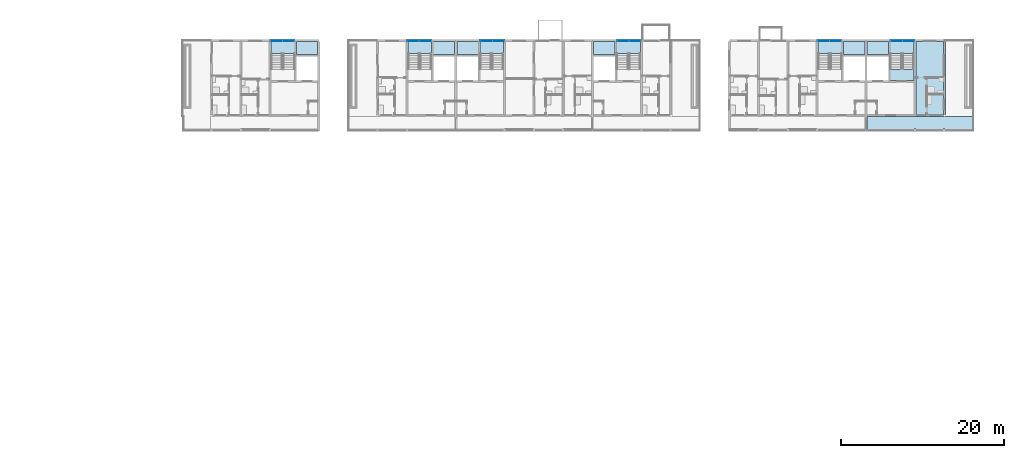
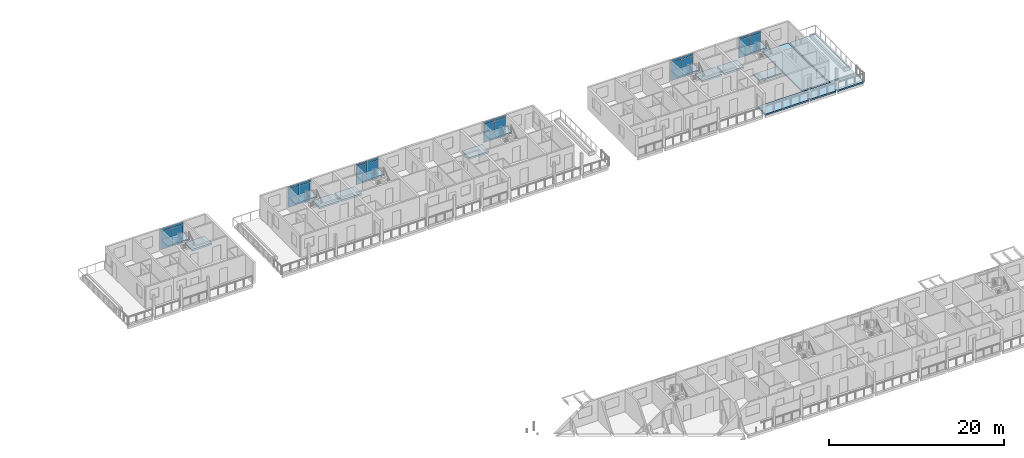
# One storey, part 32 of 94: 24 plates, 16 slabs, 12 elements without a shape of their own.
"""IFC4 building model written with IfcOpenShell, lengths in metres."""

from ifc_helpers import new_model, si_unit, direction, frame, origin, origin_2d, place, context, subcontext, project, spatial, polyline, rectangle, outline, extrude, material, layer, layer_set, type_object, element, aggregate, save


model = new_model("IFC4")

# Units and contexts
model_context = context("Model", 3, precision=1e-05, world=origin(), true_north=direction((0.0, 1.0)))
body_context = subcontext(model_context, "Body", "Model", "MODEL_VIEW")
ifc_project = project(units=[si_unit("LENGTHUNIT", "METRE"), si_unit("AREAUNIT", "SQUARE_METRE"), si_unit("VOLUMEUNIT", "CUBIC_METRE"), si_unit("PLANEANGLEUNIT", "RADIAN"), si_unit("MASSUNIT", "GRAM", prefix="KILO")], contexts=[model_context])

# Site, building, storey
site_placement = place(None, origin())
site = spatial("IfcSite", under=ifc_project, at=site_placement, CompositionType="ELEMENT")
building_placement = place(site_placement, origin())
building = spatial("IfcBuilding", under=site, at=building_placement, Name="Ridgestep Commons", CompositionType="ELEMENT")
storey_placement = place(building_placement, frame((0.0, 0.0, 24.0)))
storey = spatial("IfcBuildingStorey", under=building, at=storey_placement, Name="L08", CompositionType="ELEMENT", Elevation=24.0)

# Slab
ifc_material_1 = material(Name="Precast concrete C40/50", Category="concrete")
ifc_layer_1 = layer(ifc_material_1, 0.199951171875)
ifc_layer_set_1 = layer_set([ifc_layer_1], Name="Gallery slab 200")
slab_type_1 = type_object("IfcSlabType", Name="Gallery slab 200", PredefinedType="FLOOR", material=ifc_layer_set_1)
slab_1_placement = place(storey_placement, frame((0.0, 0.0, -0.199951171875)))
element("IfcSlab", 1, at=slab_1_placement, inside=storey, type_object=slab_type_1, Name="Gallery slab C6 L08", PredefinedType="FLOOR", context=body_context, shape_type="SweptSolid", body=[
    extrude(outline(polyline([(244.0, 67.800048828125), (230.949951171875, 67.800048828125), (230.949951171875, 66.0), (236.675048828125, 66.0), (236.675048828125, 66.25), (236.925048828125, 66.25), (236.925048828125, 66.0), (240.27490234375, 66.0), (240.27490234375, 66.25), (240.52490234375, 66.25), (240.52490234375, 66.0), (243.875, 66.0), (243.875, 66.25), (244.0, 66.25), (244.0, 67.800048828125)])), origin(), (0.0, 0.0, 1.0), 0.199951171875),
])

# Curtain wall, plates
ifc_material_2 = material(Name="Aluminium 6063-T6 and glass", Category="aluminium")
curtain_wall_type = type_object("IfcCurtainWallType", Name="Curtain wall stair strip", PredefinedType="NOTDEFINED", material=ifc_material_2)
curtain_wall_1_placement = place(storey_placement, origin())
curtain_wall_1 = element("IfcCurtainWall", 2, at=curtain_wall_1_placement, inside=storey, type_object=curtain_wall_type, Name="Curtain wall C1C level 08", PredefinedType="NOTDEFINED")
ifc_material_3 = material(Name="Glass laminated 6/16/6 low-emissivity", Category="glass")
ifc_layer_2 = layer(ifc_material_3, 0.028076171875)
ifc_layer_set_2 = layer_set([ifc_layer_2], Name="Glazing panel 28")
plate_type_1 = type_object("IfcPlateType", Name="Glazing panel 28", PredefinedType="CURTAIN_PANEL", material=ifc_layer_set_2)
plate_1_placement = place(storey_placement, frame((158.371337890625, 77.080078125, 0.06005859375), z_axis=(0.0, 0.0, 1.0), x_axis=(1.0, 0.0, 0.0)))
plate_1 = element("IfcPlate", 3, at=plate_1_placement, type_object=plate_type_1, Name="CW1 panel 1.1", PredefinedType="CURTAIN_PANEL", context=body_context, shape_type="SweptSolid", body=[
    extrude(rectangle(XDim=1.422607421875, YDim=0.028076171875, at=origin_2d()), origin(), (0.0, 0.0, 1.0), 2.5),
])
plate_2_placement = place(storey_placement, frame((159.853759765625, 77.080078125, 0.06005859375), z_axis=(0.0, 0.0, 1.0), x_axis=(1.0, 0.0, 0.0)))
plate_2 = element("IfcPlate", 4, at=plate_2_placement, type_object=plate_type_1, Name="CW1 panel 2.1", PredefinedType="CURTAIN_PANEL", context=body_context, shape_type="SweptSolid", body=[
    extrude(rectangle(XDim=1.422607421875, YDim=0.028076171875, at=origin_2d()), origin(), (0.0, 0.0, 1.0), 2.5),
])

curtain_wall_2_placement = place(storey_placement, origin())
curtain_wall_2 = element("IfcCurtainWall", 5, at=curtain_wall_2_placement, inside=storey, type_object=curtain_wall_type, Name="Curtain wall C2C level 08", PredefinedType="NOTDEFINED")
plate_3_placement = place(storey_placement, frame((175.171142578125, 77.080078125, 0.06005859375), z_axis=(0.0, 0.0, 1.0), x_axis=(1.0, 0.0, 0.0)))
plate_3 = element("IfcPlate", 6, at=plate_3_placement, type_object=plate_type_1, Name="CW1 panel 1.1", PredefinedType="CURTAIN_PANEL", context=body_context, shape_type="SweptSolid", body=[
    extrude(rectangle(XDim=1.422607421875, YDim=0.028076171875, at=origin_2d()), origin(), (0.0, 0.0, 1.0), 2.5),
])
plate_4_placement = place(storey_placement, frame((176.65380859375, 77.080078125, 0.06005859375), z_axis=(0.0, 0.0, 1.0), x_axis=(1.0, 0.0, 0.0)))
plate_4 = element("IfcPlate", 7, at=plate_4_placement, type_object=plate_type_1, Name="CW1 panel 2.1", PredefinedType="CURTAIN_PANEL", context=body_context, shape_type="SweptSolid", body=[
    extrude(rectangle(XDim=1.422607421875, YDim=0.028076171875, at=origin_2d()), origin(), (0.0, 0.0, 1.0), 2.5),
])

curtain_wall_3_placement = place(storey_placement, origin())
curtain_wall_3 = element("IfcCurtainWall", 8, at=curtain_wall_3_placement, inside=storey, type_object=curtain_wall_type, Name="Curtain wall C3C level 08", PredefinedType="NOTDEFINED")
plate_5_placement = place(storey_placement, frame((184.146240234375, 77.080078125, 0.06005859375), z_axis=(0.0, 0.0, 1.0), x_axis=(1.0, 0.0, 0.0)))
plate_5 = element("IfcPlate", 9, at=plate_5_placement, type_object=plate_type_1, Name="CW1 panel 1.1", PredefinedType="CURTAIN_PANEL", context=body_context, shape_type="SweptSolid", body=[
    extrude(rectangle(XDim=1.422607421875, YDim=0.028076171875, at=origin_2d()), origin(), (0.0, 0.0, 1.0), 2.5),
])
plate_6_placement = place(storey_placement, frame((185.628662109375, 77.080078125, 0.06005859375), z_axis=(0.0, 0.0, 1.0), x_axis=(1.0, 0.0, 0.0)))
plate_6 = element("IfcPlate", 10, at=plate_6_placement, type_object=plate_type_1, Name="CW1 panel 2.1", PredefinedType="CURTAIN_PANEL", context=body_context, shape_type="SweptSolid", body=[
    extrude(rectangle(XDim=1.422607421875, YDim=0.028076171875, at=origin_2d()), origin(), (0.0, 0.0, 1.0), 2.5),
])

curtain_wall_4_placement = place(storey_placement, origin())
curtain_wall_4 = element("IfcCurtainWall", 11, at=curtain_wall_4_placement, inside=storey, type_object=curtain_wall_type, Name="Curtain wall C4C level 08", PredefinedType="NOTDEFINED")
plate_7_placement = place(storey_placement, frame((200.9462890625, 77.080078125, 0.06005859375), z_axis=(0.0, 0.0, 1.0), x_axis=(1.0, 0.0, 0.0)))
plate_7 = element("IfcPlate", 12, at=plate_7_placement, type_object=plate_type_1, Name="CW1 panel 1.1", PredefinedType="CURTAIN_PANEL", context=body_context, shape_type="SweptSolid", body=[
    extrude(rectangle(XDim=1.422607421875, YDim=0.028076171875, at=origin_2d()), origin(), (0.0, 0.0, 1.0), 2.5),
])
plate_8_placement = place(storey_placement, frame((202.4287109375, 77.080078125, 0.06005859375), z_axis=(0.0, 0.0, 1.0), x_axis=(1.0, 0.0, 0.0)))
plate_8 = element("IfcPlate", 13, at=plate_8_placement, type_object=plate_type_1, Name="CW1 panel 2.1", PredefinedType="CURTAIN_PANEL", context=body_context, shape_type="SweptSolid", body=[
    extrude(rectangle(XDim=1.422607421875, YDim=0.028076171875, at=origin_2d()), origin(), (0.0, 0.0, 1.0), 2.5),
])

curtain_wall_5_placement = place(storey_placement, origin())
curtain_wall_5 = element("IfcCurtainWall", 14, at=curtain_wall_5_placement, inside=storey, type_object=curtain_wall_type, Name="Curtain wall C5C level 08", PredefinedType="NOTDEFINED")
plate_9_placement = place(storey_placement, frame((225.5712890625, 77.080078125, 0.06005859375), z_axis=(0.0, 0.0, 1.0), x_axis=(1.0, 0.0, 0.0)))
plate_9 = element("IfcPlate", 15, at=plate_9_placement, type_object=plate_type_1, Name="CW1 panel 1.1", PredefinedType="CURTAIN_PANEL", context=body_context, shape_type="SweptSolid", body=[
    extrude(rectangle(XDim=1.422607421875, YDim=0.028076171875, at=origin_2d()), origin(), (0.0, 0.0, 1.0), 2.5),
])
plate_10_placement = place(storey_placement, frame((227.0537109375, 77.080078125, 0.06005859375), z_axis=(0.0, 0.0, 1.0), x_axis=(1.0, 0.0, 0.0)))
plate_10 = element("IfcPlate", 16, at=plate_10_placement, type_object=plate_type_1, Name="CW1 panel 2.1", PredefinedType="CURTAIN_PANEL", context=body_context, shape_type="SweptSolid", body=[
    extrude(rectangle(XDim=1.422607421875, YDim=0.028076171875, at=origin_2d()), origin(), (0.0, 0.0, 1.0), 2.5),
])

curtain_wall_6_placement = place(storey_placement, origin())
curtain_wall_6 = element("IfcCurtainWall", 17, at=curtain_wall_6_placement, inside=storey, type_object=curtain_wall_type, Name="Curtain wall C6C level 08", PredefinedType="NOTDEFINED")
plate_11_placement = place(storey_placement, frame((234.546142578125, 77.080078125, 0.06005859375), z_axis=(0.0, 0.0, 1.0), x_axis=(1.0, 0.0, 0.0)))
plate_11 = element("IfcPlate", 18, at=plate_11_placement, type_object=plate_type_1, Name="CW1 panel 1.1", PredefinedType="CURTAIN_PANEL", context=body_context, shape_type="SweptSolid", body=[
    extrude(rectangle(XDim=1.422607421875, YDim=0.028076171875, at=origin_2d()), origin(), (0.0, 0.0, 1.0), 2.5),
])
plate_12_placement = place(storey_placement, frame((236.02880859375, 77.080078125, 0.06005859375), z_axis=(0.0, 0.0, 1.0), x_axis=(1.0, 0.0, 0.0)))
plate_12 = element("IfcPlate", 19, at=plate_12_placement, type_object=plate_type_1, Name="CW1 panel 2.1", PredefinedType="CURTAIN_PANEL", context=body_context, shape_type="SweptSolid", body=[
    extrude(rectangle(XDim=1.422607421875, YDim=0.028076171875, at=origin_2d()), origin(), (0.0, 0.0, 1.0), 2.5),
])

# Slabs
ifc_material_4 = material(Name="Precast concrete C50/60", Category="concrete")
ifc_layer_3 = layer(ifc_material_4, 0.199951171875)
ifc_layer_set_3 = layer_set([ifc_layer_3], Name="Hollow-core plank 200")
slab_type_2 = type_object("IfcSlabType", Name="Hollow-core plank 200", PredefinedType="FLOOR", material=ifc_layer_set_3)
slab_2_placement = place(storey_placement, frame((0.0, 0.0, -0.199951171875)))
element("IfcSlab", 20, at=slab_2_placement, inside=storey, type_object=slab_type_2, Name="Floor plank C6T3 L08", PredefinedType="FLOOR", context=body_context, shape_type="SweptSolid", body=[
    extrude(outline(polyline([(240.300048828125, 68.0), (240.300048828125, 77.0), (236.925048828125, 77.0), (236.925048828125, 68.0), (240.300048828125, 68.0)])), origin(), (0.0, 0.0, 1.0), 0.199951171875),
])
ifc_material_5 = material(Name="Precast concrete C50/60", Category="concrete")
ifc_layer_4 = layer(ifc_material_5, 0.25)
ifc_layer_set_4 = layer_set([ifc_layer_4], Name="Hollow-core plank 250")
slab_type_3 = type_object("IfcSlabType", Name="Hollow-core plank 250", PredefinedType="FLOOR", material=ifc_layer_set_4)
slab_3_placement = place(storey_placement, frame((0.0, 0.0, -0.25)))
element("IfcSlab", 21, at=slab_3_placement, inside=storey, type_object=slab_type_3, Name="Floor plank C1C L08", PredefinedType="FLOOR", context=body_context, shape_type="SweptSolid", body=[
    extrude(outline(polyline([(163.449951171875, 75.39990234375), (163.449951171875, 77.0), (160.824951171875, 77.0), (160.824951171875, 75.39990234375), (163.449951171875, 75.39990234375)])), origin(), (0.0, 0.0, 1.0), 0.25),
])
slab_4_placement = place(storey_placement, frame((0.0, 0.0, -0.25)))
element("IfcSlab", 22, at=slab_4_placement, inside=storey, type_object=slab_type_3, Name="Floor plank C2C L08", PredefinedType="FLOOR", context=body_context, shape_type="SweptSolid", body=[
    extrude(outline(polyline([(180.25, 75.39990234375), (180.25, 77.0), (177.625, 77.0), (177.625, 75.39990234375), (180.25, 75.39990234375)])), origin(), (0.0, 0.0, 1.0), 0.25),
])
slab_5_placement = place(storey_placement, frame((0.0, 0.0, -0.25)))
element("IfcSlab", 23, at=slab_5_placement, inside=storey, type_object=slab_type_3, Name="Floor plank C3C L08", PredefinedType="FLOOR", context=body_context, shape_type="SweptSolid", body=[
    extrude(outline(polyline([(183.175048828125, 77.0), (180.550048828125, 77.0), (180.550048828125, 75.39990234375), (183.175048828125, 75.39990234375), (183.175048828125, 77.0)])), origin(), (0.0, 0.0, 1.0), 0.25),
])
slab_6_placement = place(storey_placement, frame((0.0, 0.0, -0.25)))
element("IfcSlab", 24, at=slab_6_placement, inside=storey, type_object=slab_type_3, Name="Floor plank C4C L08", PredefinedType="FLOOR", context=body_context, shape_type="SweptSolid", body=[
    extrude(outline(polyline([(199.97509765625, 77.0), (197.35009765625, 77.0), (197.35009765625, 75.39990234375), (199.97509765625, 75.39990234375), (199.97509765625, 77.0)])), origin(), (0.0, 0.0, 1.0), 0.25),
])
slab_7_placement = place(storey_placement, frame((0.0, 0.0, -0.25)))
element("IfcSlab", 25, at=slab_7_placement, inside=storey, type_object=slab_type_3, Name="Floor plank C5C L08", PredefinedType="FLOOR", context=body_context, shape_type="SweptSolid", body=[
    extrude(outline(polyline([(230.64990234375, 75.39990234375), (230.64990234375, 77.0), (228.02490234375, 77.0), (228.02490234375, 75.39990234375), (230.64990234375, 75.39990234375)])), origin(), (0.0, 0.0, 1.0), 0.25),
])
slab_8_placement = place(storey_placement, frame((0.0, 0.0, -0.25)))
element("IfcSlab", 26, at=slab_8_placement, inside=storey, type_object=slab_type_3, Name="Floor plank C6C L08", PredefinedType="FLOOR", context=body_context, shape_type="SweptSolid", body=[
    extrude(outline(polyline([(233.574951171875, 77.0), (230.949951171875, 77.0), (230.949951171875, 75.39990234375), (233.574951171875, 75.39990234375), (233.574951171875, 77.0)])), origin(), (0.0, 0.0, 1.0), 0.25),
])
slab_9_placement = place(storey_placement, frame((0.0, 0.0, -0.25)))
element("IfcSlab", 27, at=slab_9_placement, inside=storey, type_object=slab_type_3, Name="Floor plank C6C L08", PredefinedType="FLOOR", context=body_context, shape_type="SweptSolid", body=[
    extrude(outline(polyline([(236.675048828125, 72.199951171875), (236.675048828125, 73.60009765625), (233.77490234375, 73.60009765625), (233.77490234375, 72.199951171875), (236.675048828125, 72.199951171875)])), origin(), (0.0, 0.0, 1.0), 0.25),
])
ifc_material_6 = material(Name="Precast concrete C50/60", Category="concrete")
ifc_layer_5 = layer(ifc_material_6, 0.25)
ifc_layer_set_5 = layer_set([ifc_layer_5], Name="Roof slab 250")
slab_type_4 = type_object("IfcSlabType", Name="Roof slab 250", PredefinedType="ROOF", material=ifc_layer_set_5)
slab_10_placement = place(storey_placement, frame((0.0, 0.0, -0.25)))
element("IfcSlab", 28, at=slab_10_placement, inside=storey, type_object=slab_type_4, Name="Terrace slab C6T2", PredefinedType="ROOF", context=body_context, shape_type="SweptSolid", body=[
    extrude(outline(polyline([(243.89990234375, 68.0), (243.89990234375, 77.0), (240.5, 77.0), (240.5, 68.0), (243.89990234375, 68.0)])), origin(), (0.0, 0.0, 1.0), 0.25),
])

# Plate
ifc_material_7 = material(Name="Aluminium 6063-T6 and mineral wool", Category="aluminium")
ifc_layer_6 = layer(ifc_material_7, 0.0400390625)
ifc_layer_set_6 = layer_set([ifc_layer_6], Name="Spandrel panel 40")
plate_type_2 = type_object("IfcPlateType", Name="Spandrel panel 40", PredefinedType="CURTAIN_PANEL", material=ifc_layer_set_6)
plate_13_placement = place(storey_placement, frame((158.371337890625, 77.080078125, 2.6201171875), z_axis=(0.0, 0.0, 1.0), x_axis=(1.0, 0.0, 0.0)))
plate_13 = element("IfcPlate", 29, at=plate_13_placement, type_object=plate_type_2, Name="CW1 panel 1.2", PredefinedType="CURTAIN_PANEL", context=body_context, shape_type="SweptSolid", body=[
    extrude(rectangle(XDim=1.422607421875, YDim=0.0400390625, at=origin_2d()), origin(), (0.0, 0.0, 1.0), 0.320068359375),
])

plate_14_placement = place(storey_placement, frame((159.853759765625, 77.080078125, 2.6201171875), z_axis=(0.0, 0.0, 1.0), x_axis=(1.0, 0.0, 0.0)))
plate_14 = element("IfcPlate", 30, at=plate_14_placement, type_object=plate_type_2, Name="CW1 panel 2.2", PredefinedType="CURTAIN_PANEL", context=body_context, shape_type="SweptSolid", body=[
    extrude(rectangle(XDim=1.422607421875, YDim=0.0400390625, at=origin_2d()), origin(), (0.0, 0.0, 1.0), 0.320068359375),
])

aggregate(curtain_wall_1, [plate_1, plate_13, plate_2, plate_14])

plate_15_placement = place(storey_placement, frame((175.171142578125, 77.080078125, 2.6201171875), z_axis=(0.0, 0.0, 1.0), x_axis=(1.0, 0.0, 0.0)))
plate_15 = element("IfcPlate", 31, at=plate_15_placement, type_object=plate_type_2, Name="CW1 panel 1.2", PredefinedType="CURTAIN_PANEL", context=body_context, shape_type="SweptSolid", body=[
    extrude(rectangle(XDim=1.422607421875, YDim=0.0400390625, at=origin_2d()), origin(), (0.0, 0.0, 1.0), 0.320068359375),
])

plate_16_placement = place(storey_placement, frame((176.65380859375, 77.080078125, 2.6201171875), z_axis=(0.0, 0.0, 1.0), x_axis=(1.0, 0.0, 0.0)))
plate_16 = element("IfcPlate", 32, at=plate_16_placement, type_object=plate_type_2, Name="CW1 panel 2.2", PredefinedType="CURTAIN_PANEL", context=body_context, shape_type="SweptSolid", body=[
    extrude(rectangle(XDim=1.422607421875, YDim=0.0400390625, at=origin_2d()), origin(), (0.0, 0.0, 1.0), 0.320068359375),
])

aggregate(curtain_wall_2, [plate_3, plate_15, plate_4, plate_16])

plate_17_placement = place(storey_placement, frame((184.146240234375, 77.080078125, 2.6201171875), z_axis=(0.0, 0.0, 1.0), x_axis=(1.0, 0.0, 0.0)))
plate_17 = element("IfcPlate", 33, at=plate_17_placement, type_object=plate_type_2, Name="CW1 panel 1.2", PredefinedType="CURTAIN_PANEL", context=body_context, shape_type="SweptSolid", body=[
    extrude(rectangle(XDim=1.422607421875, YDim=0.0400390625, at=origin_2d()), origin(), (0.0, 0.0, 1.0), 0.320068359375),
])

plate_18_placement = place(storey_placement, frame((185.628662109375, 77.080078125, 2.6201171875), z_axis=(0.0, 0.0, 1.0), x_axis=(1.0, 0.0, 0.0)))
plate_18 = element("IfcPlate", 34, at=plate_18_placement, type_object=plate_type_2, Name="CW1 panel 2.2", PredefinedType="CURTAIN_PANEL", context=body_context, shape_type="SweptSolid", body=[
    extrude(rectangle(XDim=1.422607421875, YDim=0.0400390625, at=origin_2d()), origin(), (0.0, 0.0, 1.0), 0.320068359375),
])

aggregate(curtain_wall_3, [plate_5, plate_17, plate_6, plate_18])

plate_19_placement = place(storey_placement, frame((200.9462890625, 77.080078125, 2.6201171875), z_axis=(0.0, 0.0, 1.0), x_axis=(1.0, 0.0, 0.0)))
plate_19 = element("IfcPlate", 35, at=plate_19_placement, type_object=plate_type_2, Name="CW1 panel 1.2", PredefinedType="CURTAIN_PANEL", context=body_context, shape_type="SweptSolid", body=[
    extrude(rectangle(XDim=1.422607421875, YDim=0.0400390625, at=origin_2d()), origin(), (0.0, 0.0, 1.0), 0.320068359375),
])

plate_20_placement = place(storey_placement, frame((202.4287109375, 77.080078125, 2.6201171875), z_axis=(0.0, 0.0, 1.0), x_axis=(1.0, 0.0, 0.0)))
plate_20 = element("IfcPlate", 36, at=plate_20_placement, type_object=plate_type_2, Name="CW1 panel 2.2", PredefinedType="CURTAIN_PANEL", context=body_context, shape_type="SweptSolid", body=[
    extrude(rectangle(XDim=1.422607421875, YDim=0.0400390625, at=origin_2d()), origin(), (0.0, 0.0, 1.0), 0.320068359375),
])

aggregate(curtain_wall_4, [plate_7, plate_19, plate_8, plate_20])

plate_21_placement = place(storey_placement, frame((225.5712890625, 77.080078125, 2.6201171875), z_axis=(0.0, 0.0, 1.0), x_axis=(1.0, 0.0, 0.0)))
plate_21 = element("IfcPlate", 37, at=plate_21_placement, type_object=plate_type_2, Name="CW1 panel 1.2", PredefinedType="CURTAIN_PANEL", context=body_context, shape_type="SweptSolid", body=[
    extrude(rectangle(XDim=1.422607421875, YDim=0.0400390625, at=origin_2d()), origin(), (0.0, 0.0, 1.0), 0.320068359375),
])

plate_22_placement = place(storey_placement, frame((227.0537109375, 77.080078125, 2.6201171875), z_axis=(0.0, 0.0, 1.0), x_axis=(1.0, 0.0, 0.0)))
plate_22 = element("IfcPlate", 38, at=plate_22_placement, type_object=plate_type_2, Name="CW1 panel 2.2", PredefinedType="CURTAIN_PANEL", context=body_context, shape_type="SweptSolid", body=[
    extrude(rectangle(XDim=1.422607421875, YDim=0.0400390625, at=origin_2d()), origin(), (0.0, 0.0, 1.0), 0.320068359375),
])

aggregate(curtain_wall_5, [plate_9, plate_21, plate_10, plate_22])

plate_23_placement = place(storey_placement, frame((234.546142578125, 77.080078125, 2.6201171875), z_axis=(0.0, 0.0, 1.0), x_axis=(1.0, 0.0, 0.0)))
plate_23 = element("IfcPlate", 39, at=plate_23_placement, type_object=plate_type_2, Name="CW1 panel 1.2", PredefinedType="CURTAIN_PANEL", context=body_context, shape_type="SweptSolid", body=[
    extrude(rectangle(XDim=1.422607421875, YDim=0.0400390625, at=origin_2d()), origin(), (0.0, 0.0, 1.0), 0.320068359375),
])

plate_24_placement = place(storey_placement, frame((236.02880859375, 77.080078125, 2.6201171875), z_axis=(0.0, 0.0, 1.0), x_axis=(1.0, 0.0, 0.0)))
plate_24 = element("IfcPlate", 40, at=plate_24_placement, type_object=plate_type_2, Name="CW1 panel 2.2", PredefinedType="CURTAIN_PANEL", context=body_context, shape_type="SweptSolid", body=[
    extrude(rectangle(XDim=1.422607421875, YDim=0.0400390625, at=origin_2d()), origin(), (0.0, 0.0, 1.0), 0.320068359375),
])

aggregate(curtain_wall_6, [plate_11, plate_23, plate_12, plate_24])

# Stair, slab
ifc_material_8 = material(Name="Precast concrete C40/50", Category="concrete")
stair_type = type_object("IfcStairType", Name="Escape stair 1400", PredefinedType="HALF_TURN_STAIR", material=ifc_material_8)
stair_1_placement = place(storey_placement, origin())
stair_1 = element("IfcStair", 41, at=stair_1_placement, inside=storey, type_object=stair_type, Name="L08 Escape stair C1C", PredefinedType="HALF_TURN_STAIR")
ifc_material_9 = material(Name="Precast concrete C40/50", Category="concrete")
ifc_layer_7 = layer(ifc_material_9, 0.199951171875)
ifc_layer_set_7 = layer_set([ifc_layer_7], Name="Stair landing 200")
slab_type_5 = type_object("IfcSlabType", Name="Stair landing 200", PredefinedType="LANDING", material=ifc_layer_set_7)
slab_11_placement = place(storey_placement, frame((0.0, 0.0, 1.300048828125)))
slab_11 = element("IfcSlab", 42, at=slab_11_placement, type_object=slab_type_5, Name="C1C landing 1", PredefinedType="LANDING", context=body_context, shape_type="SweptSolid", body=[
    extrude(outline(polyline([(160.625, 75.56005859375), (160.625, 77.0), (157.72509765625, 77.0), (157.72509765625, 75.56005859375), (160.625, 75.56005859375)])), origin(), (0.0, 0.0, 1.0), 0.199951171875),
])
aggregate(stair_1, [slab_11])

stair_2_placement = place(storey_placement, origin())
stair_2 = element("IfcStair", 43, at=stair_2_placement, inside=storey, type_object=stair_type, Name="L08 Escape stair C2C", PredefinedType="HALF_TURN_STAIR")
slab_12_placement = place(storey_placement, frame((0.0, 0.0, 1.300048828125)))
slab_12 = element("IfcSlab", 44, at=slab_12_placement, type_object=slab_type_5, Name="C2C landing 1", PredefinedType="LANDING", context=body_context, shape_type="SweptSolid", body=[
    extrude(outline(polyline([(177.425048828125, 75.56005859375), (177.425048828125, 77.0), (174.52490234375, 77.0), (174.52490234375, 75.56005859375), (177.425048828125, 75.56005859375)])), origin(), (0.0, 0.0, 1.0), 0.199951171875),
])
aggregate(stair_2, [slab_12])

stair_3_placement = place(storey_placement, origin())
stair_3 = element("IfcStair", 45, at=stair_3_placement, inside=storey, type_object=stair_type, Name="L08 Escape stair C3C", PredefinedType="HALF_TURN_STAIR")
slab_13_placement = place(storey_placement, frame((0.0, 0.0, 1.300048828125)))
slab_13 = element("IfcSlab", 46, at=slab_13_placement, type_object=slab_type_5, Name="C3C landing 1", PredefinedType="LANDING", context=body_context, shape_type="SweptSolid", body=[
    extrude(outline(polyline([(186.27490234375, 75.56005859375), (186.27490234375, 77.0), (183.375, 77.0), (183.375, 75.56005859375), (186.27490234375, 75.56005859375)])), origin(), (0.0, 0.0, 1.0), 0.199951171875),
])
aggregate(stair_3, [slab_13])

stair_4_placement = place(storey_placement, origin())
stair_4 = element("IfcStair", 47, at=stair_4_placement, inside=storey, type_object=stair_type, Name="L08 Escape stair C4C", PredefinedType="HALF_TURN_STAIR")
slab_14_placement = place(storey_placement, frame((0.0, 0.0, 1.300048828125)))
slab_14 = element("IfcSlab", 48, at=slab_14_placement, type_object=slab_type_5, Name="C4C landing 1", PredefinedType="LANDING", context=body_context, shape_type="SweptSolid", body=[
    extrude(outline(polyline([(203.074951171875, 75.56005859375), (203.074951171875, 77.0), (200.175048828125, 77.0), (200.175048828125, 75.56005859375), (203.074951171875, 75.56005859375)])), origin(), (0.0, 0.0, 1.0), 0.199951171875),
])
aggregate(stair_4, [slab_14])

stair_5_placement = place(storey_placement, origin())
stair_5 = element("IfcStair", 49, at=stair_5_placement, inside=storey, type_object=stair_type, Name="L08 Escape stair C5C", PredefinedType="HALF_TURN_STAIR")
slab_15_placement = place(storey_placement, frame((0.0, 0.0, 1.300048828125)))
slab_15 = element("IfcSlab", 50, at=slab_15_placement, type_object=slab_type_5, Name="C5C landing 1", PredefinedType="LANDING", context=body_context, shape_type="SweptSolid", body=[
    extrude(outline(polyline([(227.824951171875, 75.56005859375), (227.824951171875, 77.0), (224.925048828125, 77.0), (224.925048828125, 75.56005859375), (227.824951171875, 75.56005859375)])), origin(), (0.0, 0.0, 1.0), 0.199951171875),
])
aggregate(stair_5, [slab_15])

stair_6_placement = place(storey_placement, origin())
stair_6 = element("IfcStair", 51, at=stair_6_placement, inside=storey, type_object=stair_type, Name="L08 Escape stair C6C", PredefinedType="HALF_TURN_STAIR")
slab_16_placement = place(storey_placement, frame((0.0, 0.0, 1.300048828125)))
slab_16 = element("IfcSlab", 52, at=slab_16_placement, type_object=slab_type_5, Name="C6C landing 1", PredefinedType="LANDING", context=body_context, shape_type="SweptSolid", body=[
    extrude(outline(polyline([(236.675048828125, 75.56005859375), (236.675048828125, 77.0), (233.77490234375, 77.0), (233.77490234375, 75.56005859375), (236.675048828125, 75.56005859375)])), origin(), (0.0, 0.0, 1.0), 0.199951171875),
])
aggregate(stair_6, [slab_16])

save(model, "model.ifc")
